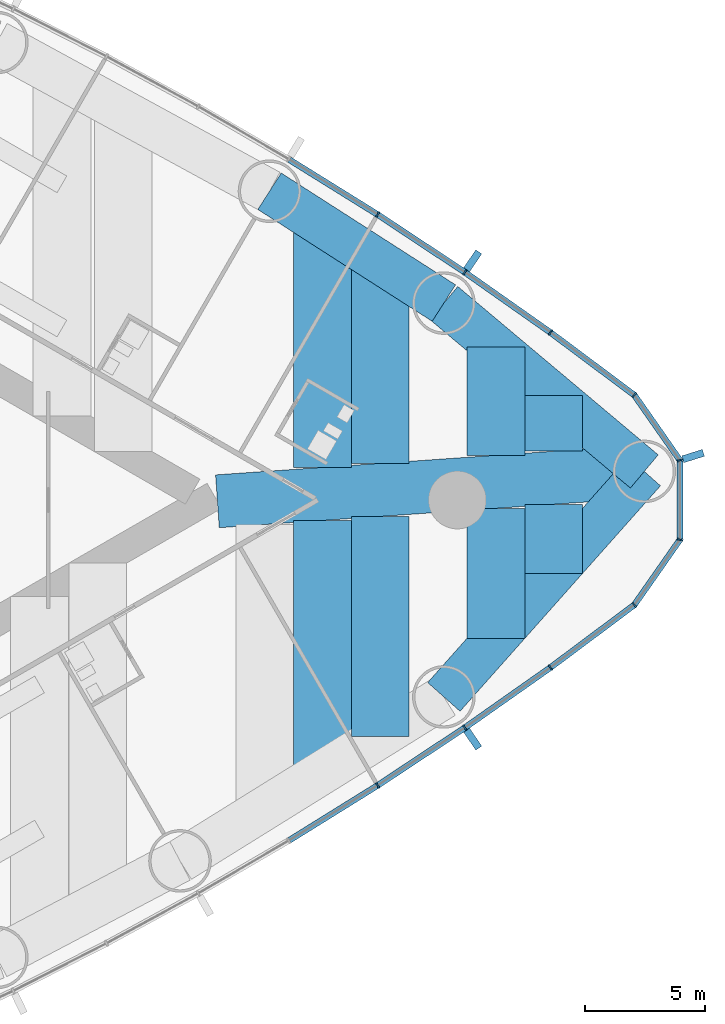
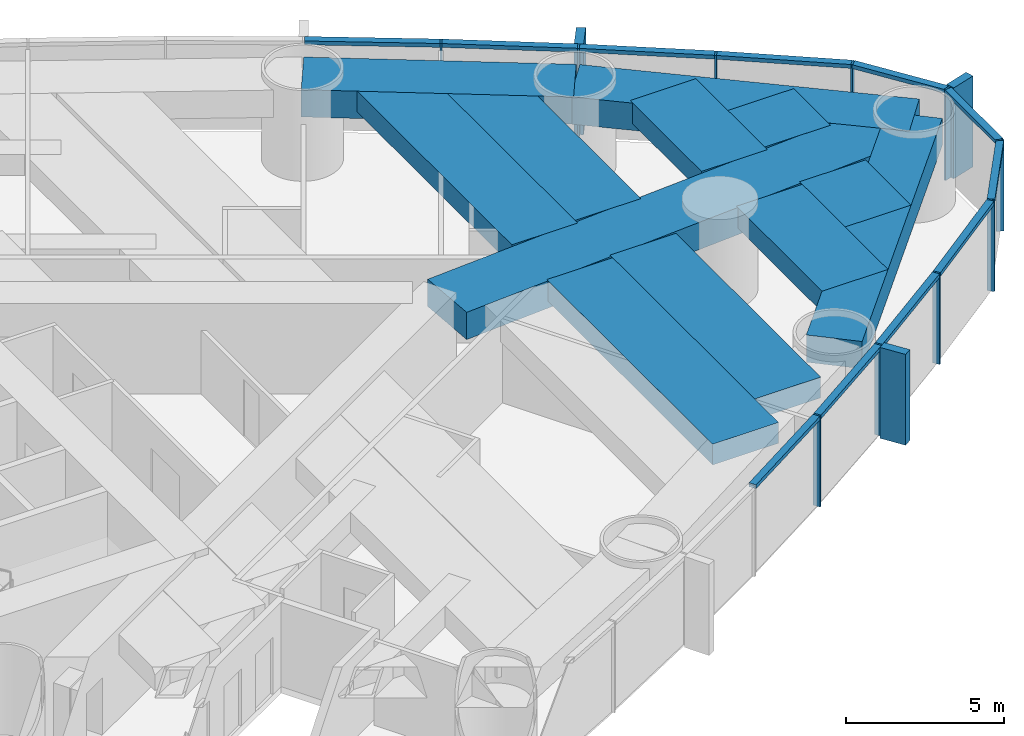
# One storey, part 8 of 19: 24 members, 12 beams, 1 element without a shape of its own.
"""IFC4 building model written with IfcOpenShell, lengths in metres."""

import ifcopenshell
import ifcopenshell.guid

model = None  # the IFC model being written
_history = None  # IfcOwnerHistory: only IFC2X3 demands one
_inside = {}  # id of a spatial element -> (the spatial element, [elements in it])
_under = {}  # id of a project, library or spatial element -> (it, [spatial elements below it])
_declared = {}  # id of a project -> (the project, [libraries it declares])
_typed = {}  # id of a type object -> (the type object, [elements of that type])
_made_of = {}  # id of a material, layer set ... -> (it, [elements and type objects made of it])


def new_model(schema):
    """Start an empty IFC model of exactly this schema.

    Asked for "IFC4X3", IfcOpenShell would pick the latest addendum, in which some entities
    have other attributes; the version numbers below select the first issue.
    IFC2X3 requires an IfcOwnerHistory on every rooted entity: one is made here for all.
    """
    global model, _history
    if schema == "IFC4X3":
        model = ifcopenshell.file(schema_version=(4, 3, 0, 0))
    else:
        model = ifcopenshell.file(schema=schema)
    _inside.clear()
    _under.clear()
    _declared.clear()
    _typed.clear()
    _made_of.clear()
    _history = None
    if model.schema == "IFC2X3":
        org = make("IfcOrganization", Name="unknown")
        user = make(
            "IfcPersonAndOrganization",
            ThePerson=make("IfcPerson", FamilyName="unknown"),
            TheOrganization=org,
        )
        app = make(
            "IfcApplication",
            ApplicationDeveloper=org,
            Version="unknown",
            ApplicationFullName="unknown",
            ApplicationIdentifier="unknown",
        )
        _history = make(
            "IfcOwnerHistory",
            OwningUser=user,
            OwningApplication=app,
            ChangeAction="ADDED",
            CreationDate=0,
        )
    return model


def make(cls, **values):
    """One entity of the class cls with the attributes given. An attribute that is None is left unset."""
    return model.create_entity(
        cls, **{name: value for name, value in values.items() if value is not None}
    )


def rooted(cls, **values):
    """An entity with a GlobalId (a new one), such as an element, a storey or a relation."""
    return make(cls, GlobalId=ifcopenshell.guid.new(), OwnerHistory=_history, **values)


def si_unit(unit_type, name, prefix=None):
    """IfcSIUnit, for example si_unit("LENGTHUNIT", "METRE", prefix="MILLI")."""
    return make("IfcSIUnit", UnitType=unit_type, Prefix=prefix, Name=name)


def assignment(units):
    """IfcUnitAssignment: the units of a project."""
    return None if units is None else make("IfcUnitAssignment", Units=units)


def point(xyz):
    """IfcCartesianPoint."""
    return None if xyz is None else make("IfcCartesianPoint", Coordinates=xyz)


def direction(xyz):
    """IfcDirection."""
    return None if xyz is None else make("IfcDirection", DirectionRatios=xyz)


def frame(location, z_axis=None, x_axis=None):
    """IfcAxis2Placement3D, a coordinate frame: its origin and axes. An axis left out is left unset."""
    return make(
        "IfcAxis2Placement3D",
        Location=point(location),
        Axis=direction(z_axis),
        RefDirection=direction(x_axis),
    )


def frame_2d(location, x_axis=None):
    """IfcAxis2Placement2D, a coordinate frame in the plane: its origin and x axis."""
    return make(
        "IfcAxis2Placement2D", Location=point(location), RefDirection=direction(x_axis)
    )


def origin():
    """The frame at (0, 0, 0) with its axes left unset."""
    return frame((0.0, 0.0, 0.0))


def origin_2d():
    """The frame at (0, 0) in the plane with its x axis left unset."""
    return frame_2d((0.0, 0.0))


def place(relative_to, where):
    """IfcLocalPlacement: puts the frame where relative to a parent placement (None: the world)."""
    return make(
        "IfcLocalPlacement", PlacementRelTo=relative_to, RelativePlacement=where
    )


def context(
    kind, dimensions, precision=None, world=None, true_north=None, identifier=None
):
    """IfcGeometricRepresentationContext, for example the 3D "Model" context."""
    return make(
        "IfcGeometricRepresentationContext",
        ContextIdentifier=identifier,
        ContextType=kind,
        CoordinateSpaceDimension=dimensions,
        Precision=precision,
        WorldCoordinateSystem=world,
        TrueNorth=true_north,
    )


def subcontext(parent, identifier, kind, view, scale=None):
    """IfcGeometricRepresentationSubContext, for example "Body" below "Model"."""
    return make(
        "IfcGeometricRepresentationSubContext",
        ContextIdentifier=identifier,
        ContextType=kind,
        ParentContext=parent,
        TargetScale=scale,
        TargetView=view,
    )


def project(units=None, contexts=None):
    """IfcProject with its units and contexts."""
    return rooted(
        "IfcProject",
        Name="project",
        RepresentationContexts=contexts,
        UnitsInContext=assignment(units),
    )


def spatial(cls, under=None, at=None, **own):
    """A site, building, storey or space (cls), placed at a placement, below another one or the project."""
    s = rooted(cls, ObjectPlacement=at, **own)
    if under is not None:
        _under.setdefault(under.id(), (under, []))[1].append(s)
    return s


def profile(cls, at=None, kind="AREA", **sizes):
    """A parametric profile (cls). Its sizes go by their IFC names, for example OverallWidth=200.0."""
    return make(cls, ProfileType=kind, Position=at, **sizes)


def rectangle(**sizes):
    """IfcRectangleProfileDef."""
    return profile("IfcRectangleProfileDef", **sizes)


def extrude(swept, where, along, depth):
    """IfcExtrudedAreaSolid: the profile swept, set in the frame where, extruded along a direction by depth."""
    return make(
        "IfcExtrudedAreaSolid",
        SweptArea=swept,
        Position=where,
        ExtrudedDirection=direction(along),
        Depth=depth,
    )


def shape(context_of_items, identifier, shape_type, items):
    """IfcShapeRepresentation: the items that make up one representation, for example the "Body"."""
    return make(
        "IfcShapeRepresentation",
        ContextOfItems=context_of_items,
        RepresentationIdentifier=identifier,
        RepresentationType=shape_type,
        Items=items,
    )


def material(Name=None, Category=None):
    """IfcMaterial."""
    return make("IfcMaterial", Name=Name, Category=Category)


def material_profile(
    of_material, cross_section, Name=None, Category=None, Priority=None
):
    """IfcMaterialProfile: a cross section and its material."""
    return make(
        "IfcMaterialProfile",
        Name=Name,
        Material=of_material,
        Profile=cross_section,
        Priority=Priority,
        Category=Category,
    )


def profile_set(profiles, Name=None, composite=None):
    """IfcMaterialProfileSet."""
    return make(
        "IfcMaterialProfileSet",
        Name=Name,
        MaterialProfiles=profiles,
        CompositeProfile=composite,
    )


def made_of(thing, what):
    """Note that an element or type object is made of a material, layer set ...; save() writes the relation."""
    if what is not None:
        _made_of.setdefault(what.id(), (what, []))[1].append(thing)
    return thing


def type_object(cls, material=None, **own):
    """A type object (cls), such as IfcWallType, which elements share."""
    return made_of(rooted(cls, **own), material)


def element(
    cls,
    number,
    at=None,
    inside=None,
    cuts=None,
    type_object=None,
    material=None,
    context=None,
    identifier="Body",
    shape_type=None,
    held_by="IfcProductDefinitionShape",
    body=None,
    shapes=None,
    **own,
):
    """One element of the class cls, such as IfcWall. Its Tag is "e" and its number.

    at: its placement. inside: the storey or other place that contains it. cuts: it is an
    opening in that element (IfcRelVoidsElement). A single representation is given by context,
    identifier, shape_type and body (its items); several are given by shapes. held_by: the class
    of the entity that holds the representations. save() writes the other relations.
    """
    e = rooted(cls, Tag="e%d" % number, ObjectPlacement=at, **own)
    if body is not None:
        shapes = [shape(context, identifier, shape_type, body)]
    if shapes is not None:
        e.Representation = make(held_by, Representations=shapes)
    if inside is not None:
        _inside.setdefault(inside.id(), (inside, []))[1].append(e)
    if cuts is not None:
        rooted(
            "IfcRelVoidsElement", RelatingBuildingElement=cuts, RelatedOpeningElement=e
        )
    if type_object is not None:
        _typed.setdefault(type_object.id(), (type_object, []))[1].append(e)
    return made_of(e, material)


def aggregate(whole, parts):
    """IfcRelAggregates: a whole, such as a stair, and the parts it consists of."""
    return rooted("IfcRelAggregates", RelatingObject=whole, RelatedObjects=parts)


def save(model, path):
    """Write the relations noted so far, then the file.

    IfcRelAggregates (storeys below a building ...), IfcRelContainedInSpatialStructure (elements
    in a storey), IfcRelDefinesByType, IfcRelAssociatesMaterial and IfcRelDeclares: one each for
    every whole, place, type object, material and project.
    """
    for whole, parts in _under.values():
        aggregate(whole, parts)
    for where, things in _inside.values():
        rooted(
            "IfcRelContainedInSpatialStructure",
            RelatedElements=things,
            RelatingStructure=where,
        )
    for kind, things in _typed.values():
        rooted("IfcRelDefinesByType", RelatedObjects=things, RelatingType=kind)
    for what, things in _made_of.values():
        rooted("IfcRelAssociatesMaterial", RelatedObjects=things, RelatingMaterial=what)
    for by, libraries in _declared.values():
        rooted("IfcRelDeclares", RelatingContext=by, RelatedDefinitions=libraries)
    model.write(path)


model = new_model("IFC4")

# Units and contexts
model_context = context("Model", 3, precision=1e-05, world=origin(), true_north=direction((0.0, 1.0)))
body_context = subcontext(model_context, "Body", "Model", "MODEL_VIEW")
ifc_project = project(units=[si_unit("LENGTHUNIT", "METRE"), si_unit("AREAUNIT", "SQUARE_METRE"), si_unit("VOLUMEUNIT", "CUBIC_METRE"), si_unit("PLANEANGLEUNIT", "RADIAN"), si_unit("MASSUNIT", "GRAM", prefix="KILO")], contexts=[model_context])

# Site, building, storey
site_placement = place(None, origin())
site = spatial("IfcSite", under=ifc_project, at=site_placement, CompositionType="ELEMENT")
building_placement = place(site_placement, origin())
building = spatial("IfcBuilding", under=site, at=building_placement, Name="Lancet Gate Hotel", CompositionType="ELEMENT")
storey_placement = place(building_placement, frame((0.0, 0.0, 132.60009765625)))
storey = spatial("IfcBuildingStorey", under=building, at=storey_placement, Name="L35", CompositionType="ELEMENT", Elevation=132.60009765625)

# Curtain wall, members
ifc_material_1 = material(Name="Aluminium curtain wall", Category="aluminium")
curtain_wall_type = type_object("IfcCurtainWallType", Name="Tower unitised curtain wall", PredefinedType="USERDEFINED", material=ifc_material_1)
curtain_wall_placement = place(storey_placement, origin())
curtain_wall = element("IfcCurtainWall", 1, at=curtain_wall_placement, inside=storey, type_object=curtain_wall_type, Name="T2 L35 curtain wall 1", ObjectType="UNITISED CURTAIN WALL", PredefinedType="USERDEFINED")
ifc_material_2 = material(Name="Aluminium mullion", Category="aluminium")
ifc_material_profile_1 = material_profile(ifc_material_2, rectangle(XDim=0.06494140625, YDim=0.25, at=origin_2d()), Name="MULLION 65x250")
ifc_profile_set_1 = profile_set([ifc_material_profile_1], Name="Aluminium mullion")
member_type_1 = type_object("IfcMemberType", Name="Aluminium mullion 65x250", PredefinedType="MULLION", material=ifc_profile_set_1)
member_1_placement = place(storey_placement, frame((58.188720703125, -11.8603515625, 0.0), z_axis=(0.0, 0.0, 1.0), x_axis=(0.841736224144, 0.539888996891, 0.0)))
member_1 = element("IfcMember", 2, at=member_1_placement, type_object=member_type_1, Name="T2 L35 curtain wall 1 mullion 13", PredefinedType="MULLION", context=body_context, shape_type="SweptSolid", body=[
    extrude(rectangle(XDim=0.06494140625, YDim=0.25, at=origin_2d()), origin(), (0.0, 0.0, 1.0), 3.5),
])
member_2_placement = place(storey_placement, frame((61.814208984375, -9.461669921875, 0.0), z_axis=(0.0, 0.0, 1.0), x_axis=(0.826065510491, 0.563574105489, 0.0)))
member_2 = element("IfcMember", 3, at=member_2_placement, type_object=member_type_1, Name="T2 L35 curtain wall 1 mullion 14", PredefinedType="MULLION", context=body_context, shape_type="SweptSolid", body=[
    extrude(rectangle(XDim=0.06494140625, YDim=0.25, at=origin_2d()), origin(), (0.0, 0.0, 1.0), 3.5),
])
member_3_placement = place(storey_placement, frame((65.370361328125, -6.9609375, 0.0), z_axis=(0.0, 0.0, 1.0), x_axis=(0.809728529035, 0.586804660229, 0.0)))
member_3 = element("IfcMember", 4, at=member_3_placement, type_object=member_type_1, Name="T2 L35 curtain wall 1 mullion 15", PredefinedType="MULLION", context=body_context, shape_type="SweptSolid", body=[
    extrude(rectangle(XDim=0.06494140625, YDim=0.25, at=origin_2d()), origin(), (0.0, 0.0, 1.0), 3.5),
])
member_4_placement = place(storey_placement, frame((68.853759765625, -4.360107421875, 0.0), z_axis=(0.0, 0.0, 1.0), x_axis=(0.711610374907, 0.702574319432, 0.0)))
member_4 = element("IfcMember", 5, at=member_4_placement, type_object=member_type_1, Name="T2 L35 curtain wall 1 mullion 16", PredefinedType="MULLION", context=body_context, shape_type="SweptSolid", body=[
    extrude(rectangle(XDim=0.06494140625, YDim=0.25, at=origin_2d()), origin(), (0.0, 0.0, 1.0), 3.5),
])
member_5_placement = place(storey_placement, frame((70.747314453125, -1.652099609375, 0.0), z_axis=(0.0, 0.0, 1.0), x_axis=(0.300384890639, 0.953818073574, 0.0)))
member_5 = element("IfcMember", 6, at=member_5_placement, type_object=member_type_1, Name="T2 L35 curtain wall 1 mullion 17", PredefinedType="MULLION", context=body_context, shape_type="SweptSolid", body=[
    extrude(rectangle(XDim=0.06494140625, YDim=0.25, at=origin_2d()), origin(), (0.0, 0.0, 1.0), 3.5),
])
member_6_placement = place(storey_placement, frame((70.747314453125, 1.652099609375, 0.0), z_axis=(0.0, 0.0, 1.0), x_axis=(-0.300384890639, 0.953818073574, 0.0)))
member_6 = element("IfcMember", 7, at=member_6_placement, type_object=member_type_1, Name="T2 L35 curtain wall 1 mullion 18", PredefinedType="MULLION", context=body_context, shape_type="SweptSolid", body=[
    extrude(rectangle(XDim=0.06494140625, YDim=0.25, at=origin_2d()), origin(), (0.0, 0.0, 1.0), 3.5),
])
member_7_placement = place(storey_placement, frame((68.853759765625, 4.360107421875, 0.0), z_axis=(0.0, 0.0, 1.0), x_axis=(-0.711610374907, 0.702574319432, 0.0)))
member_7 = element("IfcMember", 8, at=member_7_placement, type_object=member_type_1, Name="T2 L35 curtain wall 1 mullion 19", PredefinedType="MULLION", context=body_context, shape_type="SweptSolid", body=[
    extrude(rectangle(XDim=0.06494140625, YDim=0.25, at=origin_2d()), origin(), (0.0, 0.0, 1.0), 3.5),
])
member_8_placement = place(storey_placement, frame((65.370361328125, 6.9609375, 0.0), z_axis=(0.0, 0.0, 1.0), x_axis=(-0.809728529035, 0.586804660229, 0.0)))
member_8 = element("IfcMember", 9, at=member_8_placement, type_object=member_type_1, Name="T2 L35 curtain wall 1 mullion 20", PredefinedType="MULLION", context=body_context, shape_type="SweptSolid", body=[
    extrude(rectangle(XDim=0.06494140625, YDim=0.25, at=origin_2d()), origin(), (0.0, 0.0, 1.0), 3.5),
])
member_9_placement = place(storey_placement, frame((61.814208984375, 9.461669921875, 0.0), z_axis=(0.0, 0.0, 1.0), x_axis=(-0.826065510491, 0.563574105489, 0.0)))
member_9 = element("IfcMember", 10, at=member_9_placement, type_object=member_type_1, Name="T2 L35 curtain wall 1 mullion 21", PredefinedType="MULLION", context=body_context, shape_type="SweptSolid", body=[
    extrude(rectangle(XDim=0.06494140625, YDim=0.25, at=origin_2d()), origin(), (0.0, 0.0, 1.0), 3.5),
])
member_10_placement = place(storey_placement, frame((58.188720703125, 11.8603515625, 0.0), z_axis=(0.0, 0.0, 1.0), x_axis=(-0.841736224144, 0.539888996891, 0.0)))
member_10 = element("IfcMember", 11, at=member_10_placement, type_object=member_type_1, Name="T2 L35 curtain wall 1 mullion 22", PredefinedType="MULLION", context=body_context, shape_type="SweptSolid", body=[
    extrude(rectangle(XDim=0.06494140625, YDim=0.25, at=origin_2d()), origin(), (0.0, 0.0, 1.0), 3.5),
])
ifc_material_3 = material(Name="Aluminium transom", Category="aluminium")
ifc_material_profile_2 = material_profile(ifc_material_3, rectangle(XDim=0.25, YDim=0.14990234375, at=origin_2d()), Name="TRANSOM 250x150")
ifc_profile_set_2 = profile_set([ifc_material_profile_2], Name="Aluminium transom")
member_type_2 = type_object("IfcMemberType", Name="Aluminium transom 250x150", PredefinedType="USERDEFINED", material=ifc_profile_set_2)
member_11_placement = place(storey_placement, frame((54.52392578125, -14.13818359375, 3.4248046875), z_axis=(0.849308812566, 0.527896335371, 0.0), x_axis=(-0.527896335371, 0.849308812566, 0.0)))
member_11 = element("IfcMember", 12, at=member_11_placement, type_object=member_type_2, Name="T2 L35 curtain wall 1 transom 12", ObjectType="TRANSOM", PredefinedType="USERDEFINED", context=body_context, shape_type="SweptSolid", body=[
    extrude(rectangle(XDim=0.25, YDim=0.14990234375, at=origin_2d()), origin(), (0.0, 0.0, 1.0), 4.282470703125),
])
member_12_placement = place(storey_placement, frame((58.2158203125, -11.842529296875, 3.4248046875), z_axis=(0.833966159038, 0.551815590192, 0.0), x_axis=(-0.551815590192, 0.833966159038, 0.0)))
member_12 = element("IfcMember", 13, at=member_12_placement, type_object=member_type_2, Name="T2 L35 curtain wall 1 transom 13", ObjectType="TRANSOM", PredefinedType="USERDEFINED", context=body_context, shape_type="SweptSolid", body=[
    extrude(rectangle(XDim=0.25, YDim=0.14990234375, at=origin_2d()), origin(), (0.0, 0.0, 1.0), 4.2822265625),
])
member_13_placement = place(storey_placement, frame((61.8408203125, -9.44287109375, 3.4248046875), z_axis=(0.817987243547, 0.57523635959, 0.0), x_axis=(-0.57523635959, 0.817987243547, 0.0)))
member_13 = element("IfcMember", 14, at=member_13_placement, type_object=member_type_2, Name="T2 L35 curtain wall 1 transom 14", ObjectType="TRANSOM", PredefinedType="USERDEFINED", context=body_context, shape_type="SweptSolid", body=[
    extrude(rectangle(XDim=0.25, YDim=0.14990234375, at=origin_2d()), origin(), (0.0, 0.0, 1.0), 4.282470703125),
])
member_14_placement = place(storey_placement, frame((65.396240234375, -6.94140625, 3.4248046875), z_axis=(0.801311559064, 0.598247261014, 0.0), x_axis=(-0.598247261014, 0.801311559064, 0.0)))
member_14 = element("IfcMember", 15, at=member_14_placement, type_object=member_type_2, Name="T2 L35 curtain wall 1 transom 15", ObjectType="TRANSOM", PredefinedType="USERDEFINED", context=body_context, shape_type="SweptSolid", body=[
    extrude(rectangle(XDim=0.25, YDim=0.14990234375, at=origin_2d()), origin(), (0.0, 0.0, 1.0), 4.282470703125),
])
member_15_placement = place(storey_placement, frame((68.87255859375, -4.33349609375, 3.4248046875), z_axis=(0.573017137751, 0.819543384967, 0.0), x_axis=(-0.819543384967, 0.573017137751, 0.0)))
member_15 = element("IfcMember", 16, at=member_15_placement, type_object=member_type_2, Name="T2 L35 curtain wall 1 transom 16", ObjectType="TRANSOM", PredefinedType="USERDEFINED", context=body_context, shape_type="SweptSolid", body=[
    extrude(rectangle(XDim=0.25, YDim=0.14990234375, at=origin_2d()), origin(), (0.0, 0.0, 1.0), 3.2392578125),
])
member_16_placement = place(storey_placement, frame((70.747314453125, -1.61962890625, 3.4248046875), z_axis=(0.0, 1.0, 0.0), x_axis=(-1.0, 0.0, 0.0)))
member_16 = element("IfcMember", 17, at=member_16_placement, type_object=member_type_2, Name="T2 L35 curtain wall 1 transom 17", ObjectType="TRANSOM", PredefinedType="USERDEFINED", context=body_context, shape_type="SweptSolid", body=[
    extrude(rectangle(XDim=0.25, YDim=0.14990234375, at=origin_2d()), origin(), (0.0, 0.0, 1.0), 3.2392578125),
])
member_17_placement = place(storey_placement, frame((70.728759765625, 1.6787109375, 3.4248046875), z_axis=(-0.573017137751, 0.819543384967, 0.0), x_axis=(-0.819543384967, -0.573017137751, 0.0)))
member_17 = element("IfcMember", 18, at=member_17_placement, type_object=member_type_2, Name="T2 L35 curtain wall 1 transom 18", ObjectType="TRANSOM", PredefinedType="USERDEFINED", context=body_context, shape_type="SweptSolid", body=[
    extrude(rectangle(XDim=0.25, YDim=0.14990234375, at=origin_2d()), origin(), (0.0, 0.0, 1.0), 3.2392578125),
])
member_18_placement = place(storey_placement, frame((68.827880859375, 4.37939453125, 3.4248046875), z_axis=(-0.801311559064, 0.598247261014, 0.0), x_axis=(-0.598247261014, -0.801311559064, 0.0)))
member_18 = element("IfcMember", 19, at=member_18_placement, type_object=member_type_2, Name="T2 L35 curtain wall 1 transom 19", ObjectType="TRANSOM", PredefinedType="USERDEFINED", context=body_context, shape_type="SweptSolid", body=[
    extrude(rectangle(XDim=0.25, YDim=0.14990234375, at=origin_2d()), origin(), (0.0, 0.0, 1.0), 4.282470703125),
])
member_19_placement = place(storey_placement, frame((65.34375, 6.9794921875, 3.4248046875), z_axis=(-0.817987243547, 0.57523635959, 0.0), x_axis=(-0.57523635959, -0.817987243547, 0.0)))
member_19 = element("IfcMember", 20, at=member_19_placement, type_object=member_type_2, Name="T2 L35 curtain wall 1 transom 20", ObjectType="TRANSOM", PredefinedType="USERDEFINED", context=body_context, shape_type="SweptSolid", body=[
    extrude(rectangle(XDim=0.25, YDim=0.14990234375, at=origin_2d()), origin(), (0.0, 0.0, 1.0), 4.282470703125),
])
member_20_placement = place(storey_placement, frame((61.787109375, 9.4794921875, 3.4248046875), z_axis=(-0.833966159038, 0.551815590192, 0.0), x_axis=(-0.551815590192, -0.833966159038, 0.0)))
member_20 = element("IfcMember", 21, at=member_20_placement, type_object=member_type_2, Name="T2 L35 curtain wall 1 transom 21", ObjectType="TRANSOM", PredefinedType="USERDEFINED", context=body_context, shape_type="SweptSolid", body=[
    extrude(rectangle(XDim=0.25, YDim=0.14990234375, at=origin_2d()), origin(), (0.0, 0.0, 1.0), 4.2822265625),
])
member_21_placement = place(storey_placement, frame((58.1611328125, 11.87744140625, 3.4248046875), z_axis=(-0.849308812566, 0.527896335371, 0.0), x_axis=(-0.527896335371, -0.849308812566, 0.0)))
member_21 = element("IfcMember", 22, at=member_21_placement, type_object=member_type_2, Name="T2 L35 curtain wall 1 transom 22", ObjectType="TRANSOM", PredefinedType="USERDEFINED", context=body_context, shape_type="SweptSolid", body=[
    extrude(rectangle(XDim=0.25, YDim=0.14990234375, at=origin_2d()), origin(), (0.0, 0.0, 1.0), 4.282470703125),
])

# Beams
ifc_material_4 = material(Name="Concrete C50/60", Category="concrete")
ifc_material_profile_3 = material_profile(ifc_material_4, rectangle(XDim=1.800048828125, YDim=1.050048828125, at=origin_2d()), Name="RC 1800x1050")
ifc_profile_set_3 = profile_set([ifc_material_profile_3], Name="Concrete C50/60")
beam_type_1 = type_object("IfcBeamType", Name="Edge beam RC 1800x1050", PredefinedType="SPANDREL", material=ifc_profile_set_3)
beam_1_placement = place(storey_placement, frame((60.940673828125, -8.18115234375, 2.724853515625), z_axis=(0.664421866815, 0.74735773422, 0.0), x_axis=(-0.74735773422, 0.664421866815, 0.0)))
element("IfcBeam", 23, at=beam_1_placement, inside=storey, type_object=beam_type_1, Name="T2 edge beam EB1 L35", PredefinedType="SPANDREL", context=body_context, shape_type="SweptSolid", body=[
    extrude(rectangle(XDim=1.800048828125, YDim=1.050048828125, at=origin_2d()), origin(), (0.0, 0.0, 1.0), 12.534423828125),
])
beam_2_placement = place(storey_placement, frame((69.268798828125, 1.1865234375, 2.724853515625), z_axis=(-0.765749969712, 0.643138386264, 0.0), x_axis=(-0.643138386264, -0.765749969712, 0.0)))
element("IfcBeam", 24, at=beam_2_placement, inside=storey, type_object=beam_type_1, Name="T2 edge beam EB1 L35", PredefinedType="SPANDREL", context=body_context, shape_type="SweptSolid", body=[
    extrude(rectangle(XDim=1.800048828125, YDim=1.050048828125, at=origin_2d()), origin(), (0.0, 0.0, 1.0), 10.875732421875),
])
beam_3_placement = place(storey_placement, frame((60.940673828125, 8.18115234375, 2.724853515625), z_axis=(-0.841727408736, 0.539902740669, 0.0), x_axis=(-0.539902740669, -0.841727408736, 0.0)))
element("IfcBeam", 25, at=beam_3_placement, inside=storey, type_object=beam_type_1, Name="T2 edge beam EB1 L35", PredefinedType="SPANDREL", context=body_context, shape_type="SweptSolid", body=[
    extrude(rectangle(XDim=1.800048828125, YDim=1.050048828125, at=origin_2d()), origin(), (0.0, 0.0, 1.0), 8.605712890625),
])

# Member
ifc_material_5 = material(Name="Precast concrete C50/60", Category="concrete")
ifc_material_profile_4 = material_profile(ifc_material_5, rectangle(XDim=0.300048828125, YDim=0.89990234375, at=origin_2d()), Name="FIN 300x900")
ifc_profile_set_4 = profile_set([ifc_material_profile_4], Name="Precast concrete C50/60")
member_type_3 = type_object("IfcMemberType", Name="Exposed concrete fin 300x900", PredefinedType="USERDEFINED", material=ifc_profile_set_4)
member_22_placement = place(storey_placement, frame((62.138427734375, -9.9365234375, 0.0), z_axis=(0.0, 0.0, 1.0), x_axis=(0.826065510491, 0.563574105489, 0.0)))
member_22 = element("IfcMember", 26, at=member_22_placement, type_object=member_type_3, Name="T2 L35 curtain wall 1 fin 14", ObjectType="FIN", PredefinedType="USERDEFINED", context=body_context, shape_type="SweptSolid", body=[
    extrude(rectangle(XDim=0.300048828125, YDim=0.89990234375, at=origin_2d()), origin(), (0.0, 0.0, 1.0), 3.5),
])

member_23_placement = place(storey_placement, frame((71.295654296875, 1.824951171875, 0.0), z_axis=(0.0, 0.0, 1.0), x_axis=(-0.300384890639, 0.953818073574, 0.0)))
member_23 = element("IfcMember", 27, at=member_23_placement, type_object=member_type_3, Name="T2 L35 curtain wall 1 fin 18", ObjectType="FIN", PredefinedType="USERDEFINED", context=body_context, shape_type="SweptSolid", body=[
    extrude(rectangle(XDim=0.300048828125, YDim=0.89990234375, at=origin_2d()), origin(), (0.0, 0.0, 1.0), 3.5),
])

member_24_placement = place(storey_placement, frame((62.138427734375, 9.9365234375, 0.0), z_axis=(0.0, 0.0, 1.0), x_axis=(-0.826065510491, 0.563574105489, 0.0)))
member_24 = element("IfcMember", 28, at=member_24_placement, type_object=member_type_3, Name="T2 L35 curtain wall 1 fin 21", ObjectType="FIN", PredefinedType="USERDEFINED", context=body_context, shape_type="SweptSolid", body=[
    extrude(rectangle(XDim=0.300048828125, YDim=0.89990234375, at=origin_2d()), origin(), (0.0, 0.0, 1.0), 3.5),
])

aggregate(curtain_wall, [member_1, member_2, member_22, member_3, member_4, member_5, member_6, member_23, member_7, member_8, member_9, member_24, member_10, member_11, member_12, member_13, member_14, member_15, member_16, member_17, member_18, member_19, member_20, member_21])

# Beams
ifc_material_6 = material(Name="Concrete C50/60", Category="concrete")
ifc_material_profile_5 = material_profile(ifc_material_6, rectangle(XDim=2.39990234375, YDim=0.800048828125, at=origin_2d()), Name="RC 2400x800")
ifc_profile_set_5 = profile_set([ifc_material_profile_5], Name="Concrete C50/60")
beam_type_2 = type_object("IfcBeamType", Name="Floor beam RC 2400x800", PredefinedType="BEAM", material=ifc_profile_set_5)
beam_4_placement = place(storey_placement, frame((55.90234375, -11.312744140625, 2.849853515625), z_axis=(0.0, 1.0, 0.0), x_axis=(-1.0, 0.0, 0.0)))
element("IfcBeam", 29, at=beam_4_placement, inside=storey, type_object=beam_type_2, Name="T2 floor beam F14S L35", PredefinedType="BEAM", context=body_context, shape_type="SweptSolid", body=[
    extrude(rectangle(XDim=2.39990234375, YDim=0.800048828125, at=origin_2d()), origin(), (0.0, 0.0, 1.0), 10.4619140625),
])
beam_5_placement = place(storey_placement, frame((55.90234375, 1.3544921875, 2.849853515625), z_axis=(0.0, 1.0, 0.0), x_axis=(-1.0, 0.0, 0.0)))
element("IfcBeam", 30, at=beam_5_placement, inside=storey, type_object=beam_type_2, Name="T2 floor beam F15N L35", PredefinedType="BEAM", context=body_context, shape_type="SweptSolid", body=[
    extrude(rectangle(XDim=2.39990234375, YDim=0.800048828125, at=origin_2d()), origin(), (0.0, 0.0, 1.0), 10.058349609375),
])
beam_6_placement = place(storey_placement, frame((58.30224609375, -9.821044921875, 2.849853515625), z_axis=(0.0, 1.0, 0.0), x_axis=(-1.0, 0.0, 0.0)))
element("IfcBeam", 31, at=beam_6_placement, inside=storey, type_object=beam_type_2, Name="T2 floor beam F16S L35", PredefinedType="BEAM", context=body_context, shape_type="SweptSolid", body=[
    extrude(rectangle(XDim=2.39990234375, YDim=0.800048828125, at=origin_2d()), origin(), (0.0, 0.0, 1.0), 9.137939453125),
])
beam_7_placement = place(storey_placement, frame((58.30224609375, 1.522216796875, 2.849853515625), z_axis=(0.0, 1.0, 0.0), x_axis=(-1.0, 0.0, 0.0)))
element("IfcBeam", 32, at=beam_7_placement, inside=storey, type_object=beam_type_2, Name="T2 floor beam F17N L35", PredefinedType="BEAM", context=body_context, shape_type="SweptSolid", body=[
    extrude(rectangle(XDim=2.39990234375, YDim=0.800048828125, at=origin_2d()), origin(), (0.0, 0.0, 1.0), 8.351318359375),
])
beam_8_placement = place(storey_placement, frame((63.102294921875, -5.75, 2.849853515625), z_axis=(0.0, 1.0, 0.0), x_axis=(-1.0, 0.0, 0.0)))
element("IfcBeam", 33, at=beam_8_placement, inside=storey, type_object=beam_type_2, Name="T2 floor beam F18S L35", PredefinedType="BEAM", context=body_context, shape_type="SweptSolid", body=[
    extrude(rectangle(XDim=2.39990234375, YDim=0.800048828125, at=origin_2d()), origin(), (0.0, 0.0, 1.0), 5.402587890625),
])
beam_9_placement = place(storey_placement, frame((63.102294921875, 1.85791015625, 2.849853515625), z_axis=(0.0, 1.0, 0.0), x_axis=(-1.0, 0.0, 0.0)))
element("IfcBeam", 34, at=beam_9_placement, inside=storey, type_object=beam_type_2, Name="T2 floor beam F19N L35", PredefinedType="BEAM", context=body_context, shape_type="SweptSolid", body=[
    extrude(rectangle(XDim=2.39990234375, YDim=0.800048828125, at=origin_2d()), origin(), (0.0, 0.0, 1.0), 4.5078125),
])
beam_10_placement = place(storey_placement, frame((65.502197265625, -3.05029296875, 2.849853515625), z_axis=(0.0, 1.0, 0.0), x_axis=(-1.0, 0.0, 0.0)))
element("IfcBeam", 35, at=beam_10_placement, inside=storey, type_object=beam_type_2, Name="T2 floor beam F20S L35", PredefinedType="BEAM", context=body_context, shape_type="SweptSolid", body=[
    extrude(rectangle(XDim=2.39990234375, YDim=0.800048828125, at=origin_2d()), origin(), (0.0, 0.0, 1.0), 2.87060546875),
])
beam_11_placement = place(storey_placement, frame((65.502197265625, 2.02587890625, 2.849853515625), z_axis=(0.0, 1.0, 0.0), x_axis=(-1.0, 0.0, 0.0)))
element("IfcBeam", 36, at=beam_11_placement, inside=storey, type_object=beam_type_2, Name="T2 floor beam F21N L35", PredefinedType="BEAM", context=body_context, shape_type="SweptSolid", body=[
    extrude(rectangle(XDim=2.39990234375, YDim=0.800048828125, at=origin_2d()), origin(), (0.0, 0.0, 1.0), 2.32421875),
])
ifc_material_7 = material(Name="Concrete C50/60", Category="concrete")
ifc_material_profile_6 = material_profile(ifc_material_7, rectangle(XDim=2.199951171875, YDim=1.050048828125, at=origin_2d()), Name="RC 2200x1050")
ifc_profile_set_6 = profile_set([ifc_material_profile_6], Name="Concrete C50/60")
beam_type_3 = type_object("IfcBeamType", Name="Radial floor beam RC 2200x1050", PredefinedType="BEAM", material=ifc_profile_set_6)
beam_12_placement = place(storey_placement, frame((69.268798828125, 1.1865234375, 2.724853515625), z_axis=(-0.99756389092, -0.069758752369, 0.0), x_axis=(0.069758752369, -0.99756389092, 0.0)))
element("IfcBeam", 37, at=beam_12_placement, inside=storey, type_object=beam_type_3, Name="T2 radial beam CA L35", PredefinedType="BEAM", context=body_context, shape_type="SweptSolid", body=[
    extrude(rectangle(XDim=2.199951171875, YDim=1.050048828125, at=origin_2d()), origin(), (0.0, 0.0, 1.0), 17.77880859375),
])

save(model, "model.ifc")
